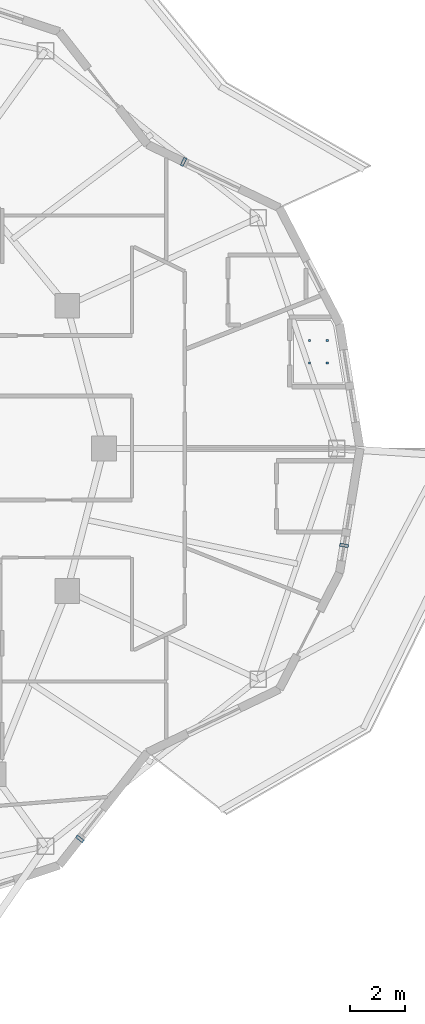
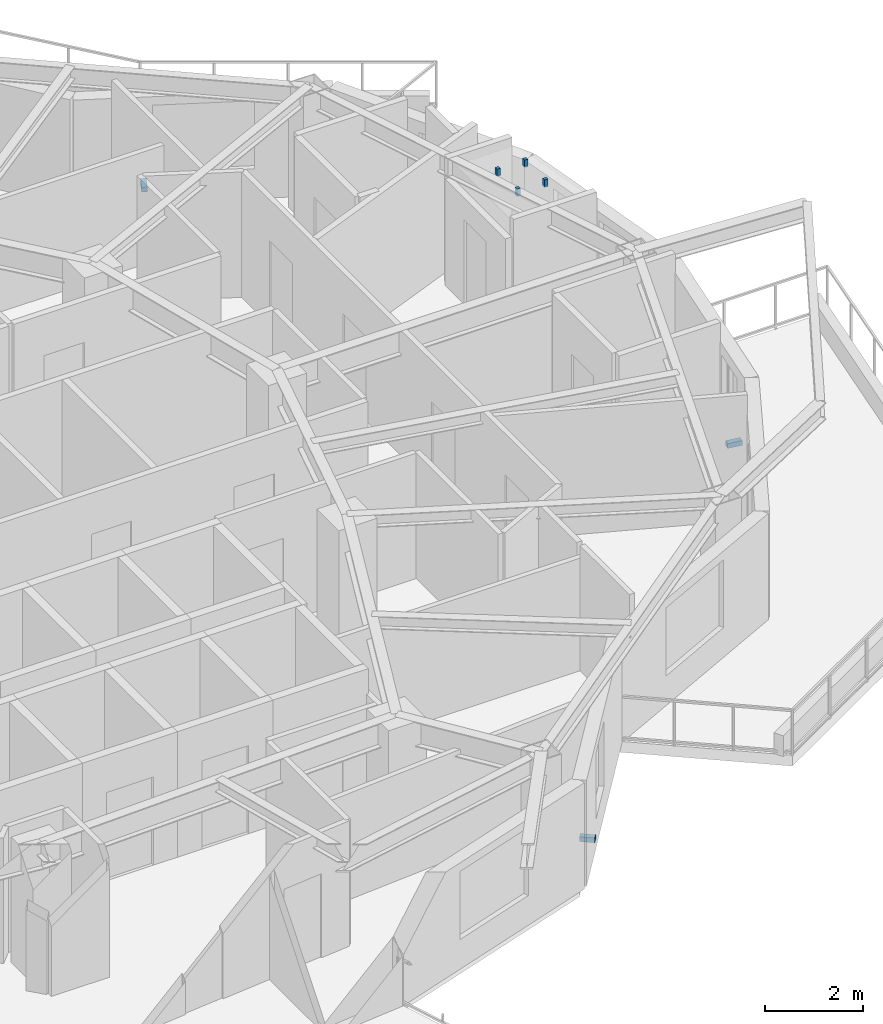
# One storey, part 9 of 13: 7 discrete accessories.
"""IFC4 building model written with IfcOpenShell, lengths in metres."""

from ifc_helpers import new_model, si_unit, direction, frame, origin, origin_2d, place, context, subcontext, project, spatial, rectangle, extrude, material, type_object, element, save


model = new_model("IFC4")

# Units and contexts
model_context = context("Model", 3, precision=1e-05, world=origin(), true_north=direction((0.0, 1.0)))
body_context = subcontext(model_context, "Body", "Model", "MODEL_VIEW")
ifc_project = project(units=[si_unit("LENGTHUNIT", "METRE"), si_unit("AREAUNIT", "SQUARE_METRE"), si_unit("VOLUMEUNIT", "CUBIC_METRE"), si_unit("PLANEANGLEUNIT", "RADIAN"), si_unit("MASSUNIT", "GRAM", prefix="KILO")], contexts=[model_context])

# Site, building, storey
site_placement = place(None, origin())
site = spatial("IfcSite", under=ifc_project, at=site_placement, CompositionType="ELEMENT")
building_placement = place(site_placement, origin())
building = spatial("IfcBuilding", under=site, at=building_placement, Name="Kolvaren Gate Tower and Convention Centre", CompositionType="ELEMENT")
storey_placement = place(building_placement, frame((0.0, 0.0, 166.5)))
storey = spatial("IfcBuildingStorey", under=building, at=storey_placement, Name="L43", CompositionType="ELEMENT", Elevation=166.5)

# Discrete accessories
ifc_material_1 = material(Name="Anodized Architectural Aluminium Alloy 6063-T6", Category="aluminium")
discrete_accessory_type_1 = type_object("IfcDiscreteAccessoryType", Name="ARCH-ACC-BRACKET-120", PredefinedType="BRACKET", material=ifc_material_1)
for number, where, z_axis, x_axis, name in (
    (1, (45.627685546875, 37.45458984375, 0.2900390625), (0.0, 0.0, 1.0), (0.901358389955, -0.433073957723, 0.0), "Ceramic Fin Wall Anchor Bracket FBK-L43-02"),
    (2, (41.845947265625, 12.761962890625, 0.2900390625), (0.0, 0.0, 1.0), (0.616434119112, 0.787406487651, 0.0), "Ceramic Fin Wall Anchor Bracket FBK-L43-20"),
    (3, (51.480712890625, 23.464111328125, 0.2900390625), (0.0, 0.0, 1.0), (0.162380568014, 0.986728205298, 0.0), "Ceramic Fin Wall Anchor Bracket FBK-L43-23"),
):
    element("IfcDiscreteAccessory", number, at=place(storey_placement, frame(where, z_axis=z_axis, x_axis=x_axis)), inside=storey, type_object=discrete_accessory_type_1, Name=name, PredefinedType="BRACKET", context=body_context, shape_type="SweptSolid", body=[
        extrude(rectangle(XDim=0.1201171875, YDim=0.320068359375, at=origin_2d()), origin(), (0.0, 0.0, 1.0), 0.1201171875),
    ])
ifc_material_2 = material(Name="Brushed Stainless Steel Grade 316L", Category="steel")
discrete_accessory_type_2 = type_object("IfcDiscreteAccessoryType", Name="ARCH-ACC-HANGER-80", PredefinedType="BRACKET", material=ifc_material_2)
for number, where, z_axis, x_axis, name in (
    (4, (50.218017578125, 30.115966796875, 2.9501953125), (0.0, 0.0, 1.0), (1.0, 0.0, 0.0), "En-suite Bathroom (HTL-L43-10) Ceiling Suspension Hanger Clip 1"),
    (5, (50.867919921875, 30.115966796875, 2.9501953125), (0.0, 0.0, 1.0), (1.0, 0.0, 0.0), "En-suite Bathroom (HTL-L43-10) Ceiling Suspension Hanger Clip 2"),
    (6, (50.218017578125, 30.93408203125, 2.9501953125), (0.0, 0.0, 1.0), (1.0, 0.0, 0.0), "En-suite Bathroom (HTL-L43-10) Ceiling Suspension Hanger Clip 3"),
    (7, (50.867919921875, 30.93408203125, 2.9501953125), (0.0, 0.0, 1.0), (1.0, 0.0, 0.0), "En-suite Bathroom (HTL-L43-10) Ceiling Suspension Hanger Clip 4"),
):
    element("IfcDiscreteAccessory", number, at=place(storey_placement, frame(where, z_axis=z_axis, x_axis=x_axis)), inside=storey, type_object=discrete_accessory_type_2, Name=name, PredefinedType="BRACKET", context=body_context, shape_type="SweptSolid", body=[
        extrude(rectangle(XDim=0.080078125, YDim=0.080078125, at=origin_2d()), origin(), (0.0, 0.0, 1.0), 0.179931640625),
    ])

save(model, "model.ifc")
